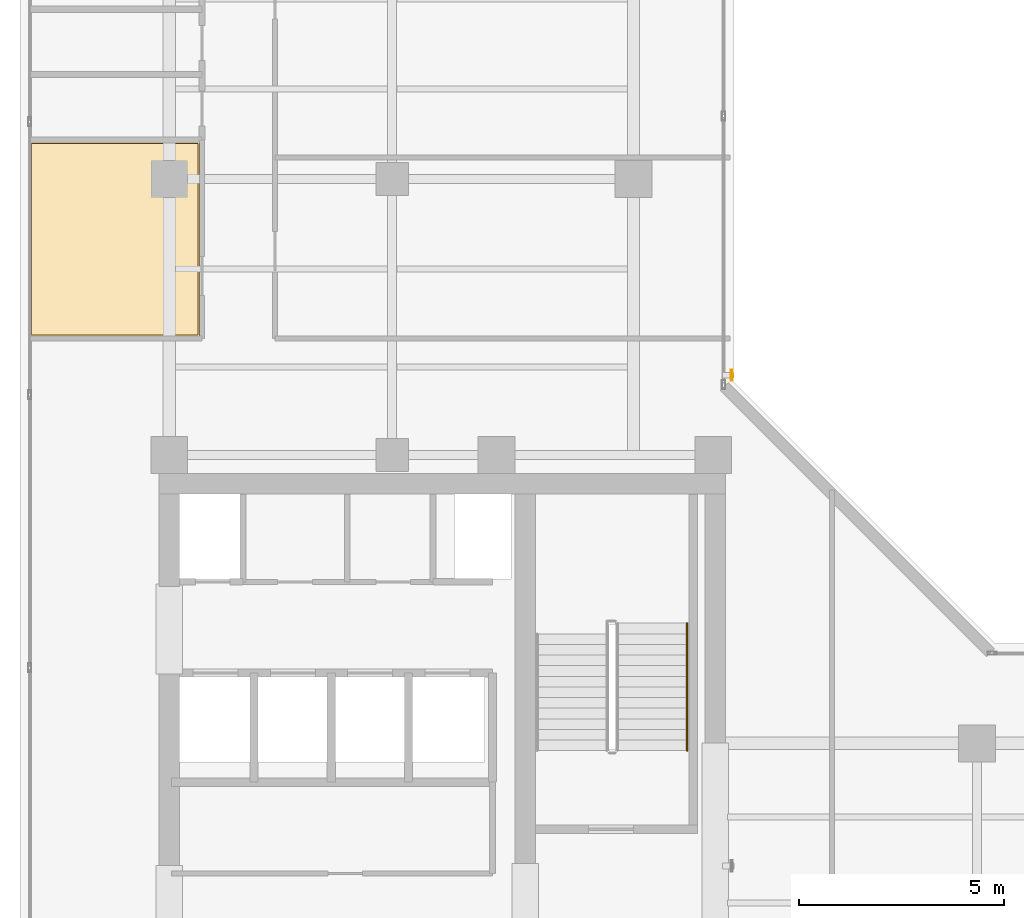
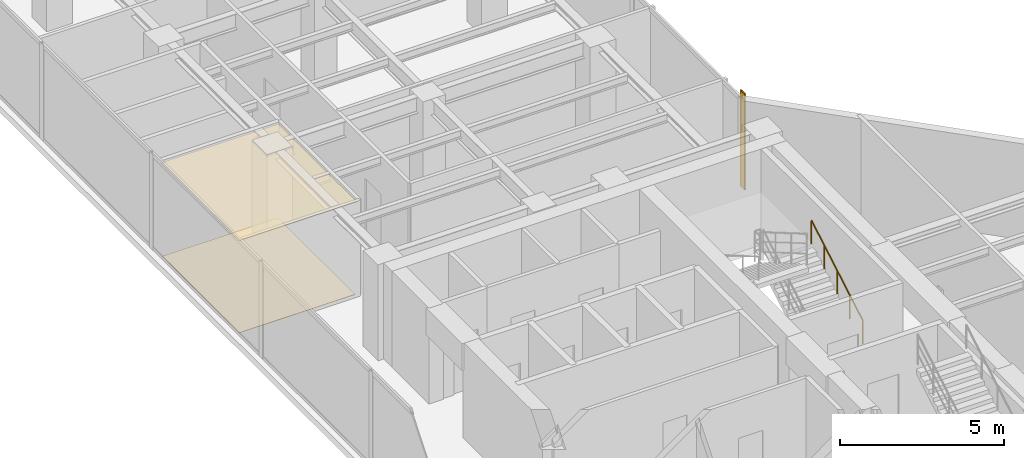
# One storey, part 21 of 23: 2 coverings, 1 railing, 1 shading device.
"""IFC4 building model written with IfcOpenShell, lengths in metres."""

from ifc_helpers import new_model, si_unit, direction, frame, origin, origin_2d, place, context, subcontext, project, spatial, polyline, hollow_rectangle, circle, outline, extrude, material, layer, layer_set, material_profile, profile_set, type_object, element, save


model = new_model("IFC4")

# Units and contexts
model_context = context("Model", 3, precision=1e-05, world=origin(), true_north=direction((0.0, 1.0)))
body_context = subcontext(model_context, "Body", "Model", "MODEL_VIEW")
ifc_project = project(units=[si_unit("LENGTHUNIT", "METRE"), si_unit("AREAUNIT", "SQUARE_METRE"), si_unit("VOLUMEUNIT", "CUBIC_METRE"), si_unit("PLANEANGLEUNIT", "RADIAN"), si_unit("MASSUNIT", "GRAM", prefix="KILO")], contexts=[model_context])

# Site, building, storey
site_placement = place(None, origin())
site = spatial("IfcSite", under=ifc_project, at=site_placement, CompositionType="ELEMENT")
building_placement = place(site_placement, origin())
building = spatial("IfcBuilding", under=site, at=building_placement, Name="Kolvaren Waterfront Exchange", CompositionType="ELEMENT")
storey_placement = place(building_placement, frame((0.0, 0.0, 319.800048828125)))
storey = spatial("IfcBuildingStorey", under=building, at=storey_placement, Name="L82", CompositionType="ELEMENT", Elevation=319.800048828125)

# Covering
ifc_material_1 = material(Name="Mineral fibre acoustic ceiling tile")
ifc_layer_1 = layer(ifc_material_1, 0.02490234375, Name="Mineral fibre acoustic ceiling tile")
ifc_layer_set_1 = layer_set([ifc_layer_1], Name="Mineral fibre acoustic ceiling tile")
covering_type_1 = type_object("IfcCoveringType", Name="ARC-CEIL-ACOUSTIC-25", PredefinedType="CEILING", material=ifc_layer_set_1)
covering_1_placement = place(storey_placement, frame((0.0, 0.0, 3.445068359375)))
element("IfcCovering", 1, at=covering_1_placement, inside=storey, type_object=covering_type_1, Name="L82 acoustic suspended ceiling 1", PredefinedType="CEILING", context=body_context, shape_type="SweptSolid", body=[
    extrude(outline(polyline([(8.18505859375, 27.344970703125), (8.18505859375, 32.10498046875), (4.044921875, 32.10498046875), (4.044921875, 27.344970703125), (8.18505859375, 27.344970703125)])), origin(), (0.0, 0.0, 1.0), 0.02490234375),
])

# Shading device
ifc_material_2 = material(Name="Anodised bronze aluminium 6063-T6", Category="aluminium")
ifc_material_profile = material_profile(ifc_material_2, hollow_rectangle(XDim=0.054931640625, YDim=0.280029296875, WallThickness=0.00439453125, at=origin_2d()), Name="BRZ-FIN-280x55x4.5")
ifc_profile_set = profile_set([ifc_material_profile], Name="Anodised bronze aluminium 6063-T6")
shading_device_type = type_object("IfcShadingDeviceType", Name="ARC-FIN-280", PredefinedType="USERDEFINED", material=ifc_profile_set)
shading_device_placement = place(storey_placement, frame((21.2021484375, 26.39990234375, 0.0), z_axis=(0.0, 0.0, 1.0), x_axis=(1.0, 0.0, 0.0)))
element("IfcShadingDevice", 2, at=shading_device_placement, inside=storey, type_object=shading_device_type, Name="L82 anodised bronze solar shading fin FIN-L82-E2", ObjectType="SOLAR FIN", PredefinedType="USERDEFINED", context=body_context, shape_type="SweptSolid", body=[
    extrude(hollow_rectangle(XDim=0.054931640625, YDim=0.280029296875, WallThickness=0.00439453125, at=origin_2d()), origin(), (0.0, 0.0, 1.0), 3.56005859375),
])

# Covering
ifc_material_3 = material(Name="Slip-resistant porcelain tile")
ifc_layer_2 = layer(ifc_material_3, 0.014892578125, Name="Slip-resistant porcelain tile")
ifc_layer_set_2 = layer_set([ifc_layer_2], Name="Slip-resistant porcelain tile")
covering_type_2 = type_object("IfcCoveringType", Name="ARC-FLR-PORC-15", PredefinedType="FLOORING", material=ifc_layer_set_2)
covering_2_placement = place(storey_placement, origin())
element("IfcCovering", 3, at=covering_2_placement, inside=storey, type_object=covering_type_2, Name="L82 floor finish 1", PredefinedType="FLOORING", context=body_context, shape_type="SweptSolid", body=[
    extrude(outline(polyline([(4.080078125, 32.070068359375), (4.080078125, 27.3798828125), (8.14990234375, 27.3798828125), (8.14990234375, 32.070068359375), (4.080078125, 32.070068359375)])), origin(), (0.0, 0.0, 1.0), 0.014892578125),
])

# Railing
ifc_material_4 = material(Name="Stainless steel 316", Category="steel")
railing_type = type_object("IfcRailingType", Name="ARC-HANDRAIL-900", PredefinedType="HANDRAIL", material=ifc_material_4)
railing_placement = place(storey_placement, frame((20.110107421875, 17.219970703125, 0.15185546875)))
element("IfcRailing", 4, at=railing_placement, inside=storey, type_object=railing_type, Name="L82 ST2 stair handrail 1", PredefinedType="HANDRAIL", context=body_context, shape_type="SweptSolid", body=[
    extrude(circle(Radius=0.02392578125, at=origin_2d()), frame((0.0, 0.0, 0.8759765625), z_axis=(0.0, 0.86330811405, 0.504677223793), x_axis=(-1.0, 0.0, 0.0)), (0.0, 0.0, 1.0), 3.6142578125),
    extrude(circle(Radius=0.02099609375, at=origin_2d()), origin(), (0.0, 0.0, 1.0), 0.851806640625),
    extrude(circle(Radius=0.02099609375, at=origin_2d()), frame((0.0, 0.780029296875, 0.4560546875)), (0.0, 0.0, 1.0), 0.851806640625),
    extrude(circle(Radius=0.02099609375, at=origin_2d()), frame((0.0, 1.56005859375, 0.912109375)), (0.0, 0.0, 1.0), 0.851806640625),
    extrude(circle(Radius=0.02099609375, at=origin_2d()), frame((0.0, 2.340087890625, 1.367919921875)), (0.0, 0.0, 1.0), 0.851806640625),
    extrude(circle(Radius=0.02099609375, at=origin_2d()), frame((0.0, 3.1201171875, 1.823974609375)), (0.0, 0.0, 1.0), 0.851806640625),
])

save(model, "model.ifc")
